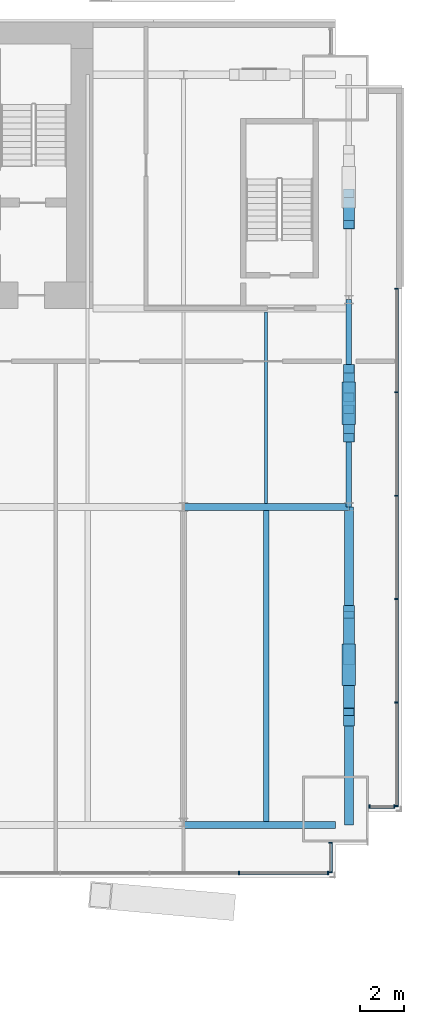
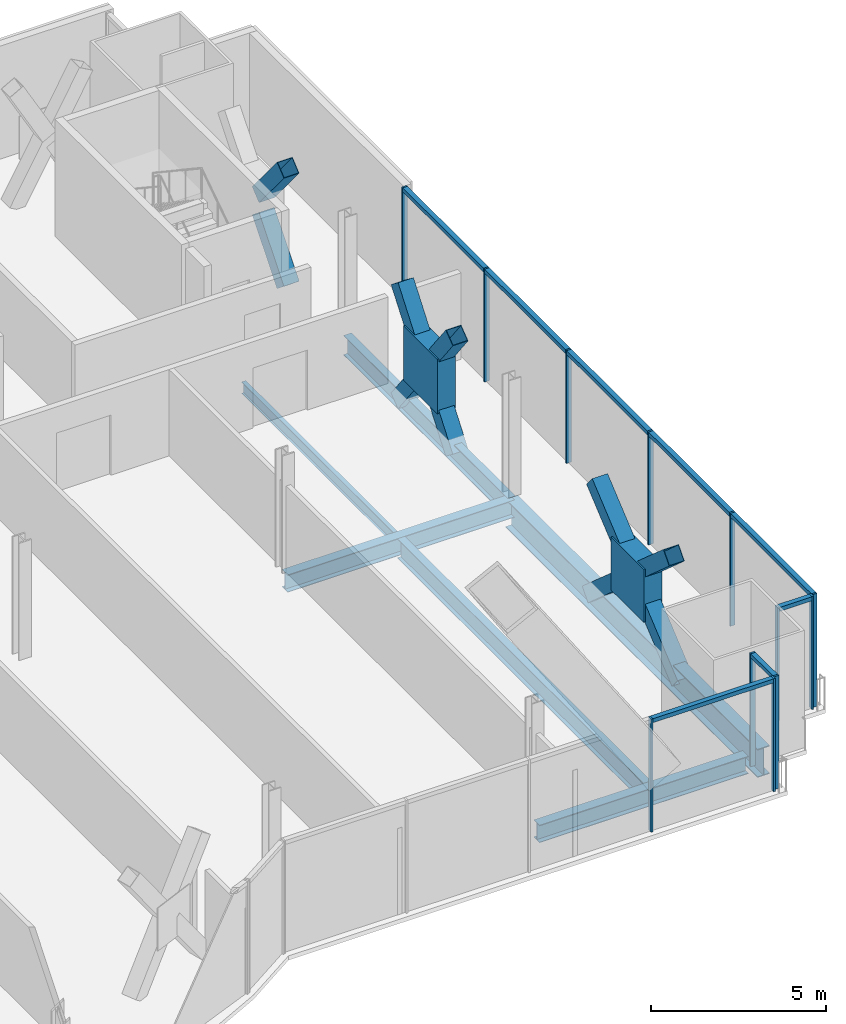
# One storey, part 13 of 22: 32 members, 6 beams, 4 elements without a shape of their own.
"""IFC4 building model written with IfcOpenShell, lengths in metres."""

import ifcopenshell
import ifcopenshell.guid

model = None  # the IFC model being written
_history = None  # IfcOwnerHistory: only IFC2X3 demands one
_inside = {}  # id of a spatial element -> (the spatial element, [elements in it])
_under = {}  # id of a project, library or spatial element -> (it, [spatial elements below it])
_declared = {}  # id of a project -> (the project, [libraries it declares])
_typed = {}  # id of a type object -> (the type object, [elements of that type])
_made_of = {}  # id of a material, layer set ... -> (it, [elements and type objects made of it])


def new_model(schema):
    """Start an empty IFC model of exactly this schema.

    Asked for "IFC4X3", IfcOpenShell would pick the latest addendum, in which some entities
    have other attributes; the version numbers below select the first issue.
    IFC2X3 requires an IfcOwnerHistory on every rooted entity: one is made here for all.
    """
    global model, _history
    if schema == "IFC4X3":
        model = ifcopenshell.file(schema_version=(4, 3, 0, 0))
    else:
        model = ifcopenshell.file(schema=schema)
    _inside.clear()
    _under.clear()
    _declared.clear()
    _typed.clear()
    _made_of.clear()
    _history = None
    if model.schema == "IFC2X3":
        org = make("IfcOrganization", Name="unknown")
        user = make(
            "IfcPersonAndOrganization",
            ThePerson=make("IfcPerson", FamilyName="unknown"),
            TheOrganization=org,
        )
        app = make(
            "IfcApplication",
            ApplicationDeveloper=org,
            Version="unknown",
            ApplicationFullName="unknown",
            ApplicationIdentifier="unknown",
        )
        _history = make(
            "IfcOwnerHistory",
            OwningUser=user,
            OwningApplication=app,
            ChangeAction="ADDED",
            CreationDate=0,
        )
    return model


def make(cls, **values):
    """One entity of the class cls with the attributes given. An attribute that is None is left unset."""
    return model.create_entity(
        cls, **{name: value for name, value in values.items() if value is not None}
    )


def rooted(cls, **values):
    """An entity with a GlobalId (a new one), such as an element, a storey or a relation."""
    return make(cls, GlobalId=ifcopenshell.guid.new(), OwnerHistory=_history, **values)


def si_unit(unit_type, name, prefix=None):
    """IfcSIUnit, for example si_unit("LENGTHUNIT", "METRE", prefix="MILLI")."""
    return make("IfcSIUnit", UnitType=unit_type, Prefix=prefix, Name=name)


def assignment(units):
    """IfcUnitAssignment: the units of a project."""
    return None if units is None else make("IfcUnitAssignment", Units=units)


def point(xyz):
    """IfcCartesianPoint."""
    return None if xyz is None else make("IfcCartesianPoint", Coordinates=xyz)


def direction(xyz):
    """IfcDirection."""
    return None if xyz is None else make("IfcDirection", DirectionRatios=xyz)


def frame(location, z_axis=None, x_axis=None):
    """IfcAxis2Placement3D, a coordinate frame: its origin and axes. An axis left out is left unset."""
    return make(
        "IfcAxis2Placement3D",
        Location=point(location),
        Axis=direction(z_axis),
        RefDirection=direction(x_axis),
    )


def frame_2d(location, x_axis=None):
    """IfcAxis2Placement2D, a coordinate frame in the plane: its origin and x axis."""
    return make(
        "IfcAxis2Placement2D", Location=point(location), RefDirection=direction(x_axis)
    )


def origin():
    """The frame at (0, 0, 0) with its axes left unset."""
    return frame((0.0, 0.0, 0.0))


def origin_2d():
    """The frame at (0, 0) in the plane with its x axis left unset."""
    return frame_2d((0.0, 0.0))


def place(relative_to, where):
    """IfcLocalPlacement: puts the frame where relative to a parent placement (None: the world)."""
    return make(
        "IfcLocalPlacement", PlacementRelTo=relative_to, RelativePlacement=where
    )


def context(
    kind, dimensions, precision=None, world=None, true_north=None, identifier=None
):
    """IfcGeometricRepresentationContext, for example the 3D "Model" context."""
    return make(
        "IfcGeometricRepresentationContext",
        ContextIdentifier=identifier,
        ContextType=kind,
        CoordinateSpaceDimension=dimensions,
        Precision=precision,
        WorldCoordinateSystem=world,
        TrueNorth=true_north,
    )


def subcontext(parent, identifier, kind, view, scale=None):
    """IfcGeometricRepresentationSubContext, for example "Body" below "Model"."""
    return make(
        "IfcGeometricRepresentationSubContext",
        ContextIdentifier=identifier,
        ContextType=kind,
        ParentContext=parent,
        TargetScale=scale,
        TargetView=view,
    )


def project(units=None, contexts=None):
    """IfcProject with its units and contexts."""
    return rooted(
        "IfcProject",
        Name="project",
        RepresentationContexts=contexts,
        UnitsInContext=assignment(units),
    )


def spatial(cls, under=None, at=None, **own):
    """A site, building, storey or space (cls), placed at a placement, below another one or the project."""
    s = rooted(cls, ObjectPlacement=at, **own)
    if under is not None:
        _under.setdefault(under.id(), (under, []))[1].append(s)
    return s


def profile(cls, at=None, kind="AREA", **sizes):
    """A parametric profile (cls). Its sizes go by their IFC names, for example OverallWidth=200.0."""
    return make(cls, ProfileType=kind, Position=at, **sizes)


def rectangle(**sizes):
    """IfcRectangleProfileDef."""
    return profile("IfcRectangleProfileDef", **sizes)


def hollow_rectangle(**sizes):
    """IfcRectangleHollowProfileDef."""
    return profile("IfcRectangleHollowProfileDef", **sizes)


def i_section(**sizes):
    """IfcIShapeProfileDef."""
    return profile("IfcIShapeProfileDef", **sizes)


def extrude(swept, where, along, depth):
    """IfcExtrudedAreaSolid: the profile swept, set in the frame where, extruded along a direction by depth."""
    return make(
        "IfcExtrudedAreaSolid",
        SweptArea=swept,
        Position=where,
        ExtrudedDirection=direction(along),
        Depth=depth,
    )


def shape(context_of_items, identifier, shape_type, items):
    """IfcShapeRepresentation: the items that make up one representation, for example the "Body"."""
    return make(
        "IfcShapeRepresentation",
        ContextOfItems=context_of_items,
        RepresentationIdentifier=identifier,
        RepresentationType=shape_type,
        Items=items,
    )


def material(Name=None, Category=None):
    """IfcMaterial."""
    return make("IfcMaterial", Name=Name, Category=Category)


def material_profile(
    of_material, cross_section, Name=None, Category=None, Priority=None
):
    """IfcMaterialProfile: a cross section and its material."""
    return make(
        "IfcMaterialProfile",
        Name=Name,
        Material=of_material,
        Profile=cross_section,
        Priority=Priority,
        Category=Category,
    )


def profile_set(profiles, Name=None, composite=None):
    """IfcMaterialProfileSet."""
    return make(
        "IfcMaterialProfileSet",
        Name=Name,
        MaterialProfiles=profiles,
        CompositeProfile=composite,
    )


def made_of(thing, what):
    """Note that an element or type object is made of a material, layer set ...; save() writes the relation."""
    if what is not None:
        _made_of.setdefault(what.id(), (what, []))[1].append(thing)
    return thing


def type_object(cls, material=None, **own):
    """A type object (cls), such as IfcWallType, which elements share."""
    return made_of(rooted(cls, **own), material)


def element(
    cls,
    number,
    at=None,
    inside=None,
    cuts=None,
    type_object=None,
    material=None,
    context=None,
    identifier="Body",
    shape_type=None,
    held_by="IfcProductDefinitionShape",
    body=None,
    shapes=None,
    **own,
):
    """One element of the class cls, such as IfcWall. Its Tag is "e" and its number.

    at: its placement. inside: the storey or other place that contains it. cuts: it is an
    opening in that element (IfcRelVoidsElement). A single representation is given by context,
    identifier, shape_type and body (its items); several are given by shapes. held_by: the class
    of the entity that holds the representations. save() writes the other relations.
    """
    e = rooted(cls, Tag="e%d" % number, ObjectPlacement=at, **own)
    if body is not None:
        shapes = [shape(context, identifier, shape_type, body)]
    if shapes is not None:
        e.Representation = make(held_by, Representations=shapes)
    if inside is not None:
        _inside.setdefault(inside.id(), (inside, []))[1].append(e)
    if cuts is not None:
        rooted(
            "IfcRelVoidsElement", RelatingBuildingElement=cuts, RelatedOpeningElement=e
        )
    if type_object is not None:
        _typed.setdefault(type_object.id(), (type_object, []))[1].append(e)
    return made_of(e, material)


def aggregate(whole, parts):
    """IfcRelAggregates: a whole, such as a stair, and the parts it consists of."""
    return rooted("IfcRelAggregates", RelatingObject=whole, RelatedObjects=parts)


def save(model, path):
    """Write the relations noted so far, then the file.

    IfcRelAggregates (storeys below a building ...), IfcRelContainedInSpatialStructure (elements
    in a storey), IfcRelDefinesByType, IfcRelAssociatesMaterial and IfcRelDeclares: one each for
    every whole, place, type object, material and project.
    """
    for whole, parts in _under.values():
        aggregate(whole, parts)
    for where, things in _inside.values():
        rooted(
            "IfcRelContainedInSpatialStructure",
            RelatedElements=things,
            RelatingStructure=where,
        )
    for kind, things in _typed.values():
        rooted("IfcRelDefinesByType", RelatedObjects=things, RelatingType=kind)
    for what, things in _made_of.values():
        rooted("IfcRelAssociatesMaterial", RelatedObjects=things, RelatingMaterial=what)
    for by, libraries in _declared.values():
        rooted("IfcRelDeclares", RelatingContext=by, RelatedDefinitions=libraries)
    model.write(path)


model = new_model("IFC4")

# Units and contexts
model_context = context("Model", 3, precision=1e-05, world=origin(), true_north=direction((0.0, 1.0)))
body_context = subcontext(model_context, "Body", "Model", "MODEL_VIEW")
ifc_project = project(units=[si_unit("LENGTHUNIT", "METRE"), si_unit("AREAUNIT", "SQUARE_METRE"), si_unit("VOLUMEUNIT", "CUBIC_METRE"), si_unit("PLANEANGLEUNIT", "RADIAN"), si_unit("MASSUNIT", "GRAM", prefix="KILO")], contexts=[model_context])

# Site, building, storey
site_placement = place(None, origin())
site = spatial("IfcSite", under=ifc_project, at=site_placement, CompositionType="ELEMENT")
building_placement = place(site_placement, origin())
building = spatial("IfcBuilding", under=site, at=building_placement, Name="Bicima Exchange Tower", CompositionType="ELEMENT")
storey_placement = place(building_placement, frame((0.0, 0.0, 94.0)))
storey = spatial("IfcBuildingStorey", under=building, at=storey_placement, Name="L19", CompositionType="ELEMENT", Elevation=94.0)

# Members
ifc_material_1 = material(Name="Steel ASTM A572 Gr 50", Category="steel")
ifc_material_profile_1 = material_profile(ifc_material_1, rectangle(XDim=0.60791015625, YDim=1.875, at=origin_2d()))
ifc_profile_set_1 = profile_set([ifc_material_profile_1], Name="Steel ASTM A572 Gr 50")
member_type_1 = type_object("IfcMemberType", Name="Brace crossing node 608 x 1875", PredefinedType="POST", material=ifc_profile_set_1)
member_1_placement = place(storey_placement, frame((33.60009765625, -29.153076171875, 0.477294921875), z_axis=(0.0, 0.0, 1.0), x_axis=(1.0, 0.0, 0.0)))
element("IfcMember", 1, at=member_1_placement, inside=storey, type_object=member_type_1, Name="Brace crossing node block", PredefinedType="POST", context=body_context, shape_type="SweptSolid", body=[
    extrude(rectangle(XDim=0.60791015625, YDim=1.875, at=origin_2d()), origin(), (0.0, 0.0, 1.0), 1.85498046875),
])
ifc_material_profile_2 = material_profile(ifc_material_1, rectangle(XDim=0.60791015625, YDim=1.9326171875, at=origin_2d()))
ifc_profile_set_2 = profile_set([ifc_material_profile_2], Name="Steel ASTM A572 Gr 50")
member_type_2 = type_object("IfcMemberType", Name="Brace crossing node 608 x 1933", PredefinedType="POST", material=ifc_profile_set_2)
member_2_placement = place(storey_placement, frame((33.60009765625, -17.300048828125, 0.596923828125), z_axis=(0.0, 0.0, 1.0), x_axis=(1.0, 0.0, 0.0)))
element("IfcMember", 2, at=member_2_placement, inside=storey, type_object=member_type_2, Name="Brace crossing node block", PredefinedType="POST", context=body_context, shape_type="SweptSolid", body=[
    extrude(rectangle(XDim=0.60791015625, YDim=1.9326171875, at=origin_2d()), origin(), (0.0, 0.0, 1.0), 1.91259765625),
])

# Curtain wall, members
ifc_material_2 = material(Name="Anodised bronze aluminium", Category="aluminium")
curtain_wall_type_1 = type_object("IfcCurtainWallType", Name="End face glass wall", PredefinedType="NOTDEFINED", material=ifc_material_2)
curtain_wall_1_placement = place(storey_placement, origin())
curtain_wall_1 = element("IfcCurtainWall", 3, at=curtain_wall_1_placement, inside=storey, type_object=curtain_wall_type_1, Name="End face glass wall L19 run 19", PredefinedType="NOTDEFINED")
ifc_material_profile_3 = material_profile(ifc_material_2, rectangle(XDim=0.159912109375, YDim=0.06005859375, at=origin_2d()))
ifc_profile_set_3 = profile_set([ifc_material_profile_3], Name="Anodised bronze aluminium")
member_type_3 = type_object("IfcMemberType", Name="End face glass wall mullion 60 x 160", PredefinedType="MULLION", material=ifc_profile_set_3)
member_3_placement = place(storey_placement, frame((35.77001953125, -35.568115234375, 0.0), z_axis=(0.0, 0.0, 1.0), x_axis=(-1.0, 0.0, 0.0)))
member_3 = element("IfcMember", 4, at=member_3_placement, type_object=member_type_3, Name="End face glass wall mullion 1", PredefinedType="MULLION", context=body_context, shape_type="SweptSolid", body=[
    extrude(rectangle(XDim=0.159912109375, YDim=0.06005859375, at=origin_2d()), origin(), (0.0, 0.0, 1.0), 3.949951171875),
])
member_4_placement = place(storey_placement, frame((35.77001953125, -30.87646484375, 0.0), z_axis=(0.0, 0.0, 1.0), x_axis=(-1.0, 0.0, 0.0)))
member_4 = element("IfcMember", 5, at=member_4_placement, type_object=member_type_3, Name="End face glass wall mullion 2", PredefinedType="MULLION", context=body_context, shape_type="SweptSolid", body=[
    extrude(rectangle(XDim=0.159912109375, YDim=0.06005859375, at=origin_2d()), origin(), (0.0, 0.0, 1.0), 3.949951171875),
])
member_5_placement = place(storey_placement, frame((35.77001953125, -26.184814453125, 0.0), z_axis=(0.0, 0.0, 1.0), x_axis=(-1.0, 0.0, 0.0)))
member_5 = element("IfcMember", 6, at=member_5_placement, type_object=member_type_3, Name="End face glass wall mullion 3", PredefinedType="MULLION", context=body_context, shape_type="SweptSolid", body=[
    extrude(rectangle(XDim=0.159912109375, YDim=0.06005859375, at=origin_2d()), origin(), (0.0, 0.0, 1.0), 3.949951171875),
])
member_6_placement = place(storey_placement, frame((35.77001953125, -21.4931640625, 0.0), z_axis=(0.0, 0.0, 1.0), x_axis=(-1.0, 0.0, 0.0)))
member_6 = element("IfcMember", 7, at=member_6_placement, type_object=member_type_3, Name="End face glass wall mullion 4", PredefinedType="MULLION", context=body_context, shape_type="SweptSolid", body=[
    extrude(rectangle(XDim=0.159912109375, YDim=0.06005859375, at=origin_2d()), origin(), (0.0, 0.0, 1.0), 3.949951171875),
])
member_7_placement = place(storey_placement, frame((35.77001953125, -16.801513671875, 0.0), z_axis=(0.0, 0.0, 1.0), x_axis=(-1.0, 0.0, 0.0)))
member_7 = element("IfcMember", 8, at=member_7_placement, type_object=member_type_3, Name="End face glass wall mullion 5", PredefinedType="MULLION", context=body_context, shape_type="SweptSolid", body=[
    extrude(rectangle(XDim=0.159912109375, YDim=0.06005859375, at=origin_2d()), origin(), (0.0, 0.0, 1.0), 3.949951171875),
])
member_8_placement = place(storey_placement, frame((35.77001953125, -12.110107421875, 0.0), z_axis=(0.0, 0.0, 1.0), x_axis=(-1.0, 0.0, 0.0)))
member_8 = element("IfcMember", 9, at=member_8_placement, type_object=member_type_3, Name="End face glass wall mullion 6", PredefinedType="MULLION", context=body_context, shape_type="SweptSolid", body=[
    extrude(rectangle(XDim=0.159912109375, YDim=0.06005859375, at=origin_2d()), origin(), (0.0, 0.0, 1.0), 3.949951171875),
])
ifc_material_profile_4 = material_profile(ifc_material_2, rectangle(XDim=0.159912109375, YDim=0.139892578125, at=origin_2d()))
ifc_profile_set_4 = profile_set([ifc_material_profile_4], Name="Anodised bronze aluminium")
member_type_4 = type_object("IfcMemberType", Name="End face glass wall transom 140 x 160", PredefinedType="USERDEFINED", material=ifc_profile_set_4)
member_9_placement = place(storey_placement, frame((35.77001953125, -35.5380859375, 3.8798828125), z_axis=(0.0, 1.0, 0.0), x_axis=(-1.0, 0.0, 0.0)))
member_9 = element("IfcMember", 10, at=member_9_placement, type_object=member_type_4, Name="End face glass wall transom 1.1", ObjectType="TRANSOM", PredefinedType="USERDEFINED", context=body_context, shape_type="SweptSolid", body=[
    extrude(rectangle(XDim=0.159912109375, YDim=0.139892578125, at=origin_2d()), origin(), (0.0, 0.0, 1.0), 4.631591796875),
])
member_10_placement = place(storey_placement, frame((35.77001953125, -30.846435546875, 3.8798828125), z_axis=(0.0, 1.0, 0.0), x_axis=(-1.0, 0.0, 0.0)))
member_10 = element("IfcMember", 11, at=member_10_placement, type_object=member_type_4, Name="End face glass wall transom 2.1", ObjectType="TRANSOM", PredefinedType="USERDEFINED", context=body_context, shape_type="SweptSolid", body=[
    extrude(rectangle(XDim=0.159912109375, YDim=0.139892578125, at=origin_2d()), origin(), (0.0, 0.0, 1.0), 4.631591796875),
])
member_11_placement = place(storey_placement, frame((35.77001953125, -26.15478515625, 3.8798828125), z_axis=(0.0, 1.0, 0.0), x_axis=(-1.0, 0.0, 0.0)))
member_11 = element("IfcMember", 12, at=member_11_placement, type_object=member_type_4, Name="End face glass wall transom 3.1", ObjectType="TRANSOM", PredefinedType="USERDEFINED", context=body_context, shape_type="SweptSolid", body=[
    extrude(rectangle(XDim=0.159912109375, YDim=0.139892578125, at=origin_2d()), origin(), (0.0, 0.0, 1.0), 4.631591796875),
])
member_12_placement = place(storey_placement, frame((35.77001953125, -21.463134765625, 3.8798828125), z_axis=(0.0, 1.0, 0.0), x_axis=(-1.0, 0.0, 0.0)))
member_12 = element("IfcMember", 13, at=member_12_placement, type_object=member_type_4, Name="End face glass wall transom 4.1", ObjectType="TRANSOM", PredefinedType="USERDEFINED", context=body_context, shape_type="SweptSolid", body=[
    extrude(rectangle(XDim=0.159912109375, YDim=0.139892578125, at=origin_2d()), origin(), (0.0, 0.0, 1.0), 4.631591796875),
])
member_13_placement = place(storey_placement, frame((35.77001953125, -16.771484375, 3.8798828125), z_axis=(0.0, 1.0, 0.0), x_axis=(-1.0, 0.0, 0.0)))
member_13 = element("IfcMember", 14, at=member_13_placement, type_object=member_type_4, Name="End face glass wall transom 5.1", ObjectType="TRANSOM", PredefinedType="USERDEFINED", context=body_context, shape_type="SweptSolid", body=[
    extrude(rectangle(XDim=0.159912109375, YDim=0.139892578125, at=origin_2d()), origin(), (0.0, 0.0, 1.0), 4.631591796875),
])
aggregate(curtain_wall_1, [member_3, member_4, member_5, member_6, member_7, member_8, member_9, member_10, member_11, member_12, member_13])

# Beams
ifc_material_3 = material(Name="Steel ASTM A992 Gr 50", Category="steel")
ifc_material_profile_5 = material_profile(ifc_material_3, i_section(OverallWidth=0.256591796875, OverallDepth=0.693359375, WebThickness=0.014404296875, FlangeThickness=0.023681640625, at=origin_2d()))
ifc_profile_set_5 = profile_set([ifc_material_profile_5], Name="Steel ASTM A992 Gr 50")
beam_type_1 = type_object("IfcBeamType", Name="End girder W27x114", PredefinedType="BEAM", material=ifc_profile_set_5)
beam_1_placement = place(storey_placement, frame((33.60009765625, -12.60009765625, -0.49658203125), z_axis=(0.0, -1.0, 0.0), x_axis=(1.0, 0.0, 0.0)))
element("IfcBeam", 15, at=beam_1_placement, inside=storey, type_object=beam_type_1, Name="End girder", PredefinedType="BEAM", context=body_context, shape_type="SweptSolid", body=[
    extrude(i_section(OverallWidth=0.256591796875, OverallDepth=0.693359375, WebThickness=0.014404296875, FlangeThickness=0.023681640625, at=origin_2d()), origin(), (0.0, 0.0, 1.0), 9.39990234375),
])
ifc_material_profile_6 = material_profile(ifc_material_3, i_section(OverallWidth=0.4013671875, OverallDepth=0.990478515625, WebThickness=0.0166015625, FlangeThickness=0.031005859375, at=origin_2d()))
ifc_profile_set_6 = profile_set([ifc_material_profile_6], Name="Steel ASTM A992 Gr 50")
beam_type_2 = type_object("IfcBeamType", Name="End girder W40x215", PredefinedType="BEAM", material=ifc_profile_set_6)
beam_2_placement = place(storey_placement, frame((33.60009765625, -22.0, -0.645263671875), z_axis=(0.0, -1.0, 0.0), x_axis=(1.0, 0.0, 0.0)))
element("IfcBeam", 16, at=beam_2_placement, inside=storey, type_object=beam_type_2, Name="End girder", PredefinedType="BEAM", context=body_context, shape_type="SweptSolid", body=[
    extrude(i_section(OverallWidth=0.4013671875, OverallDepth=0.990478515625, WebThickness=0.0166015625, FlangeThickness=0.031005859375, at=origin_2d()), origin(), (0.0, 0.0, 1.0), 14.427978515625),
])
ifc_material_profile_7 = material_profile(ifc_material_3, i_section(OverallWidth=0.140380859375, OverallDepth=0.40380859375, WebThickness=0.007080078125, FlangeThickness=0.01123046875, at=origin_2d()))
ifc_profile_set_7 = profile_set([ifc_material_profile_7], Name="Steel ASTM A992 Gr 50")
beam_type_3 = type_object("IfcBeamType", Name="Floor beam W16x31", PredefinedType="JOIST", material=ifc_profile_set_7)
beam_3_placement = place(storey_placement, frame((29.85009765625, -13.15234375, -0.351806640625), z_axis=(0.0, -1.0, 0.0), x_axis=(1.0, 0.0, 0.0)))
element("IfcBeam", 17, at=beam_3_placement, inside=storey, type_object=beam_type_3, Name="Floor beam", PredefinedType="JOIST", context=body_context, shape_type="SweptSolid", body=[
    extrude(i_section(OverallWidth=0.140380859375, OverallDepth=0.40380859375, WebThickness=0.007080078125, FlangeThickness=0.01123046875, at=origin_2d()), origin(), (0.0, 0.0, 1.0), 8.68505859375),
])
ifc_material_profile_8 = material_profile(ifc_material_3, i_section(OverallWidth=0.25390625, OverallDepth=0.67822265625, WebThickness=0.01171875, FlangeThickness=0.016357421875, at=origin_2d()))
ifc_profile_set_8 = profile_set([ifc_material_profile_8], Name="Steel ASTM A992 Gr 50")
beam_type_4 = type_object("IfcBeamType", Name="Floor beam W27x84", PredefinedType="JOIST", material=ifc_profile_set_8)
beam_4_placement = place(storey_placement, frame((29.85009765625, -22.16259765625, -0.489013671875), z_axis=(0.0, -1.0, 0.0), x_axis=(1.0, 0.0, 0.0)))
element("IfcBeam", 18, at=beam_4_placement, inside=storey, type_object=beam_type_4, Name="Floor beam", PredefinedType="JOIST", context=body_context, shape_type="SweptSolid", body=[
    extrude(i_section(OverallWidth=0.25390625, OverallDepth=0.67822265625, WebThickness=0.01171875, FlangeThickness=0.016357421875, at=origin_2d()), origin(), (0.0, 0.0, 1.0), 14.102783203125),
])
ifc_material_profile_9 = material_profile(ifc_material_3, i_section(OverallWidth=0.3251953125, OverallDepth=0.612060546875, WebThickness=0.0126953125, FlangeThickness=0.01904296875, at=origin_2d()))
ifc_profile_set_9 = profile_set([ifc_material_profile_9], Name="Steel ASTM A992 Gr 50")
beam_type_5 = type_object("IfcBeamType", Name="Front girder W24x104", PredefinedType="BEAM", material=ifc_profile_set_9)
beam_5_placement = place(storey_placement, frame((26.10009765625, -36.427978515625, -0.4560546875), z_axis=(1.0, 0.0, 0.0), x_axis=(0.0, 1.0, 0.0)))
element("IfcBeam", 19, at=beam_5_placement, inside=storey, type_object=beam_type_5, Name="Front girder", PredefinedType="BEAM", context=body_context, shape_type="SweptSolid", body=[
    extrude(i_section(OverallWidth=0.3251953125, OverallDepth=0.612060546875, WebThickness=0.0126953125, FlangeThickness=0.01904296875, at=origin_2d()), origin(), (0.0, 0.0, 1.0), 6.89990234375),
])

# Curtain wall, members
curtain_wall_type_2 = type_object("IfcCurtainWallType", Name="Front glass wall", PredefinedType="NOTDEFINED", material=ifc_material_2)
curtain_wall_2_placement = place(storey_placement, origin())
curtain_wall_2 = element("IfcCurtainWall", 20, at=curtain_wall_2_placement, inside=storey, type_object=curtain_wall_type_2, Name="Front glass wall L19 run 16", PredefinedType="NOTDEFINED")
member_type_5 = type_object("IfcMemberType", Name="Front glass wall mullion 60 x 160", PredefinedType="MULLION", material=ifc_profile_set_3)
member_14_placement = place(storey_placement, frame((28.610595703125, -38.597900390625, 0.0), z_axis=(0.0, 0.0, 1.0), x_axis=(0.0, 1.0, 0.0)))
member_14 = element("IfcMember", 21, at=member_14_placement, type_object=member_type_5, Name="Front glass wall mullion 4", PredefinedType="MULLION", context=body_context, shape_type="SweptSolid", body=[
    extrude(rectangle(XDim=0.159912109375, YDim=0.06005859375, at=origin_2d()), origin(), (0.0, 0.0, 1.0), 3.949951171875),
])
member_15_placement = place(storey_placement, frame((32.659912109375, -38.597900390625, 0.0), z_axis=(0.0, 0.0, 1.0), x_axis=(0.0, 1.0, 0.0)))
member_15 = element("IfcMember", 22, at=member_15_placement, type_object=member_type_5, Name="Front glass wall mullion 5", PredefinedType="MULLION", context=body_context, shape_type="SweptSolid", body=[
    extrude(rectangle(XDim=0.159912109375, YDim=0.06005859375, at=origin_2d()), origin(), (0.0, 0.0, 1.0), 3.949951171875),
])

curtain_wall_3_placement = place(storey_placement, origin())
curtain_wall_3 = element("IfcCurtainWall", 23, at=curtain_wall_3_placement, inside=storey, type_object=curtain_wall_type_2, Name="Front glass wall L19 run 17", PredefinedType="NOTDEFINED")
member_16_placement = place(storey_placement, frame((32.77001953125, -38.568115234375, 0.0), z_axis=(0.0, 0.0, 1.0), x_axis=(-1.0, 0.0, 0.0)))
member_16 = element("IfcMember", 24, at=member_16_placement, type_object=member_type_5, Name="Front glass wall mullion 1", PredefinedType="MULLION", context=body_context, shape_type="SweptSolid", body=[
    extrude(rectangle(XDim=0.159912109375, YDim=0.06005859375, at=origin_2d()), origin(), (0.0, 0.0, 1.0), 3.949951171875),
])
member_17_placement = place(storey_placement, frame((32.77001953125, -37.236083984375, 0.0), z_axis=(0.0, 0.0, 1.0), x_axis=(-1.0, 0.0, 0.0)))
member_17 = element("IfcMember", 25, at=member_17_placement, type_object=member_type_5, Name="Front glass wall mullion 2", PredefinedType="MULLION", context=body_context, shape_type="SweptSolid", body=[
    extrude(rectangle(XDim=0.159912109375, YDim=0.06005859375, at=origin_2d()), origin(), (0.0, 0.0, 1.0), 3.949951171875),
])

curtain_wall_4_placement = place(storey_placement, origin())
curtain_wall_4 = element("IfcCurtainWall", 26, at=curtain_wall_4_placement, inside=storey, type_object=curtain_wall_type_2, Name="Front glass wall L19 run 18", PredefinedType="NOTDEFINED")
member_18_placement = place(storey_placement, frame((34.530029296875, -35.597900390625, 0.0), z_axis=(0.0, 0.0, 1.0), x_axis=(0.0, 1.0, 0.0)))
member_18 = element("IfcMember", 27, at=member_18_placement, type_object=member_type_5, Name="Front glass wall mullion 1", PredefinedType="MULLION", context=body_context, shape_type="SweptSolid", body=[
    extrude(rectangle(XDim=0.159912109375, YDim=0.06005859375, at=origin_2d()), origin(), (0.0, 0.0, 1.0), 3.949951171875),
])
member_19_placement = place(storey_placement, frame((35.659912109375, -35.597900390625, 0.0), z_axis=(0.0, 0.0, 1.0), x_axis=(0.0, 1.0, 0.0)))
member_19 = element("IfcMember", 28, at=member_19_placement, type_object=member_type_5, Name="Front glass wall mullion 2", PredefinedType="MULLION", context=body_context, shape_type="SweptSolid", body=[
    extrude(rectangle(XDim=0.159912109375, YDim=0.06005859375, at=origin_2d()), origin(), (0.0, 0.0, 1.0), 3.949951171875),
])

# Member
member_type_6 = type_object("IfcMemberType", Name="Front glass wall transom 140 x 160", PredefinedType="USERDEFINED", material=ifc_profile_set_4)
member_20_placement = place(storey_placement, frame((28.640380859375, -38.597900390625, 3.8798828125), z_axis=(1.0, 0.0, 0.0), x_axis=(0.0, 1.0, 0.0)))
member_20 = element("IfcMember", 29, at=member_20_placement, type_object=member_type_6, Name="Front glass wall transom 4.1", ObjectType="TRANSOM", PredefinedType="USERDEFINED", context=body_context, shape_type="SweptSolid", body=[
    extrude(rectangle(XDim=0.159912109375, YDim=0.139892578125, at=origin_2d()), origin(), (0.0, 0.0, 1.0), 3.989501953125),
])

aggregate(curtain_wall_2, [member_14, member_15, member_20])

member_21_placement = place(storey_placement, frame((32.77001953125, -38.5380859375, 3.8798828125), z_axis=(0.0, 1.0, 0.0), x_axis=(-1.0, 0.0, 0.0)))
member_21 = element("IfcMember", 30, at=member_21_placement, type_object=member_type_6, Name="Front glass wall transom 1.1", ObjectType="TRANSOM", PredefinedType="USERDEFINED", context=body_context, shape_type="SweptSolid", body=[
    extrude(rectangle(XDim=0.159912109375, YDim=0.139892578125, at=origin_2d()), origin(), (0.0, 0.0, 1.0), 1.27197265625),
])

aggregate(curtain_wall_3, [member_16, member_17, member_21])

member_22_placement = place(storey_placement, frame((34.56005859375, -35.597900390625, 3.8798828125), z_axis=(1.0, 0.0, 0.0), x_axis=(0.0, 1.0, 0.0)))
member_22 = element("IfcMember", 31, at=member_22_placement, type_object=member_type_6, Name="Front glass wall transom 1.1", ObjectType="TRANSOM", PredefinedType="USERDEFINED", context=body_context, shape_type="SweptSolid", body=[
    extrude(rectangle(XDim=0.159912109375, YDim=0.139892578125, at=origin_2d()), origin(), (0.0, 0.0, 1.0), 1.06982421875),
])

aggregate(curtain_wall_4, [member_18, member_19, member_22])

# Members
ifc_material_profile_10 = material_profile(ifc_material_1, hollow_rectangle(XDim=0.508056640625, YDim=0.508056640625, WallThickness=0.0146484375, at=origin_2d()))
ifc_profile_set_10 = profile_set([ifc_material_profile_10], Name="Steel ASTM A572 Gr 50")
member_type_7 = type_object("IfcMemberType", Name="Mega brace HSS20x20x5/8", PredefinedType="BRACE", material=ifc_profile_set_10)
for number, where, z_axis, x_axis, name in (
    (32, (33.60009765625, -7.773193359375, 1.8828125), (0.0, -0.638345341101, 0.769750105875), (1.0, 0.0, 0.0), "Mega brace east end"),
    (33, (33.60009765625, -9.199951171875, -0.49658203125), (0.0, 0.638345341101, 0.769750105875), (-1.0, 0.0, 0.0), "Mega brace east end"),
):
    element("IfcMember", number, at=place(storey_placement, frame(where, z_axis=z_axis, x_axis=x_axis)), inside=storey, type_object=member_type_7, Name=name, PredefinedType="BRACE", context=body_context, shape_type="SweptSolid", body=[
        extrude(hollow_rectangle(XDim=0.508056640625, YDim=0.508056640625, WallThickness=0.0146484375, at=origin_2d()), origin(), (0.0, 0.0, 1.0), 2.235107421875),
    ])
member_23_placement = place(storey_placement, frame((33.60009765625, -15.7333984375, -0.49658203125), z_axis=(0.0, -0.607250281997, 0.794510600945), x_axis=(1.0, 0.0, 0.0)))
element("IfcMember", 34, at=member_23_placement, inside=storey, type_object=member_type_7, Name="Mega brace east end", PredefinedType="BRACE", context=body_context, shape_type="SweptSolid", body=[
    extrude(hollow_rectangle(XDim=0.508056640625, YDim=0.508056640625, WallThickness=0.0146484375, at=origin_2d()), origin(), (0.0, 0.0, 1.0), 2.131591796875),
])
member_24_placement = place(storey_placement, frame((33.60009765625, -17.572265625, 1.909423828125), z_axis=(0.0, -0.607195027523, 0.794552829301), x_axis=(1.0, 0.0, 0.0)))
element("IfcMember", 35, at=member_24_placement, inside=storey, type_object=member_type_7, Name="Mega brace east end", PredefinedType="BRACE", context=body_context, shape_type="SweptSolid", body=[
    extrude(hollow_rectangle(XDim=0.508056640625, YDim=0.508056640625, WallThickness=0.0146484375, at=origin_2d()), origin(), (0.0, 0.0, 1.0), 2.1318359375),
])
member_25_placement = place(storey_placement, frame((33.60009765625, -18.86669921875, -0.49658203125), z_axis=(0.0, 0.607250281997, 0.794510600945), x_axis=(-1.0, 0.0, 0.0)))
element("IfcMember", 36, at=member_25_placement, inside=storey, type_object=member_type_7, Name="Mega brace east end", PredefinedType="BRACE", context=body_context, shape_type="SweptSolid", body=[
    extrude(hollow_rectangle(XDim=0.508056640625, YDim=0.508056640625, WallThickness=0.0146484375, at=origin_2d()), origin(), (0.0, 0.0, 1.0), 2.131591796875),
])
member_26_placement = place(storey_placement, frame((33.60009765625, -17.02783203125, 1.909423828125), z_axis=(0.0, 0.607195027523, 0.794552829301), x_axis=(-1.0, 0.0, 0.0)))
element("IfcMember", 37, at=member_26_placement, inside=storey, type_object=member_type_7, Name="Mega brace east end", PredefinedType="BRACE", context=body_context, shape_type="SweptSolid", body=[
    extrude(hollow_rectangle(XDim=0.508056640625, YDim=0.508056640625, WallThickness=0.0146484375, at=origin_2d()), origin(), (0.0, 0.0, 1.0), 2.1318359375),
])
member_27_placement = place(storey_placement, frame((33.60009765625, -26.646728515625, -0.645263671875), z_axis=(0.0, -0.749837855365, 0.661621637087), x_axis=(1.0, 0.0, 0.0)))
element("IfcMember", 38, at=member_27_placement, inside=storey, type_object=member_type_7, Name="Mega brace east end", PredefinedType="BRACE", context=body_context, shape_type="SweptSolid", body=[
    extrude(hollow_rectangle(XDim=0.508056640625, YDim=0.508056640625, WallThickness=0.0146484375, at=origin_2d()), origin(), (0.0, 0.0, 1.0), 2.678955078125),
])
member_28_placement = place(storey_placement, frame((33.60009765625, -29.28466796875, 1.682373046875), z_axis=(0.0, -0.74984317504, 0.661615608073), x_axis=(1.0, 0.0, 0.0)))
element("IfcMember", 39, at=member_28_placement, inside=storey, type_object=member_type_7, Name="Mega brace east end", PredefinedType="BRACE", context=body_context, shape_type="SweptSolid", body=[
    extrude(hollow_rectangle(XDim=0.508056640625, YDim=0.508056640625, WallThickness=0.0146484375, at=origin_2d()), origin(), (0.0, 0.0, 1.0), 2.6787109375),
])
member_29_placement = place(storey_placement, frame((33.60009765625, -31.78125, -0.645263671875), z_axis=(0.0, 0.766318850904, 0.642460441389), x_axis=(-1.0, 0.0, 0.0)))
element("IfcMember", 40, at=member_29_placement, inside=storey, type_object=member_type_7, Name="Mega brace east end", PredefinedType="BRACE", context=body_context, shape_type="SweptSolid", body=[
    extrude(hollow_rectangle(XDim=0.508056640625, YDim=0.508056640625, WallThickness=0.0146484375, at=origin_2d()), origin(), (0.0, 0.0, 1.0), 2.771484375),
])
member_30_placement = place(storey_placement, frame((33.60009765625, -29.014404296875, 1.67431640625), z_axis=(0.0, 0.766362222277, 0.642408705006), x_axis=(-1.0, 0.0, 0.0)))
element("IfcMember", 41, at=member_30_placement, inside=storey, type_object=member_type_7, Name="Mega brace east end", PredefinedType="BRACE", context=body_context, shape_type="SweptSolid", body=[
    extrude(hollow_rectangle(XDim=0.508056640625, YDim=0.508056640625, WallThickness=0.0146484375, at=origin_2d()), origin(), (0.0, 0.0, 1.0), 2.771240234375),
])

# Beam
beam_type_6 = type_object("IfcBeamType", Name="Row girder W24x104", PredefinedType="BEAM", material=ifc_profile_set_9)
beam_6_placement = place(storey_placement, frame((26.10009765625, -22.0, -0.4560546875), z_axis=(1.0, 0.0, 0.0), x_axis=(0.0, 1.0, 0.0)))
element("IfcBeam", 42, at=beam_6_placement, inside=storey, type_object=beam_type_6, Name="Row girder", PredefinedType="BEAM", context=body_context, shape_type="SweptSolid", body=[
    extrude(i_section(OverallWidth=0.3251953125, OverallDepth=0.612060546875, WebThickness=0.0126953125, FlangeThickness=0.01904296875, at=origin_2d()), origin(), (0.0, 0.0, 1.0), 7.5),
])

save(model, "model.ifc")
